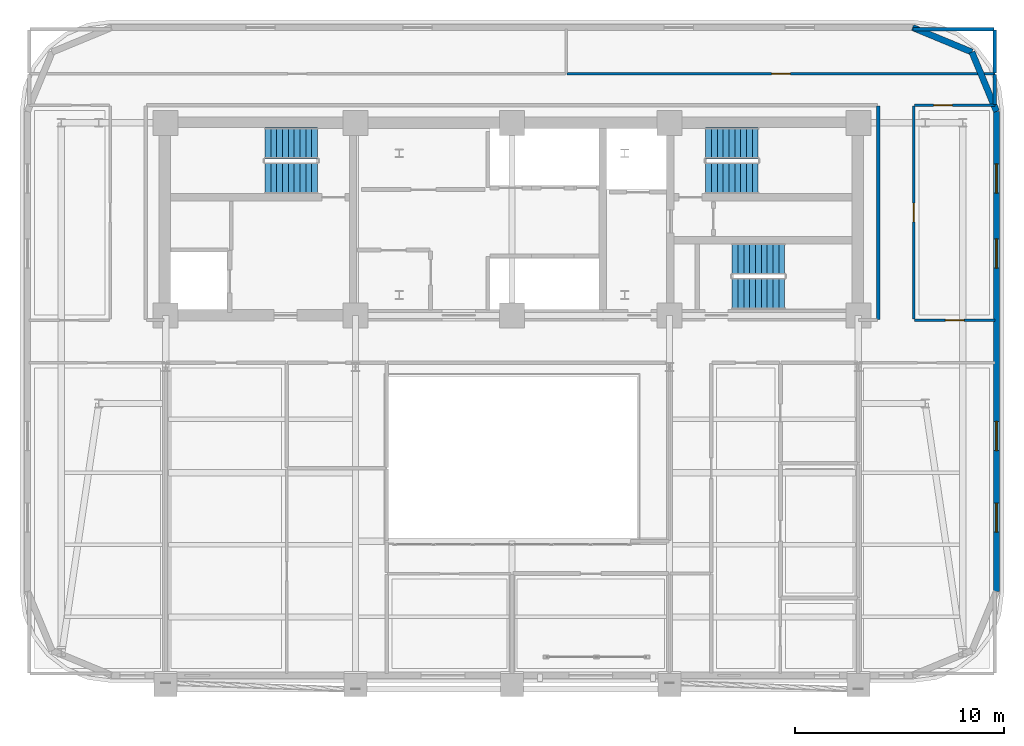
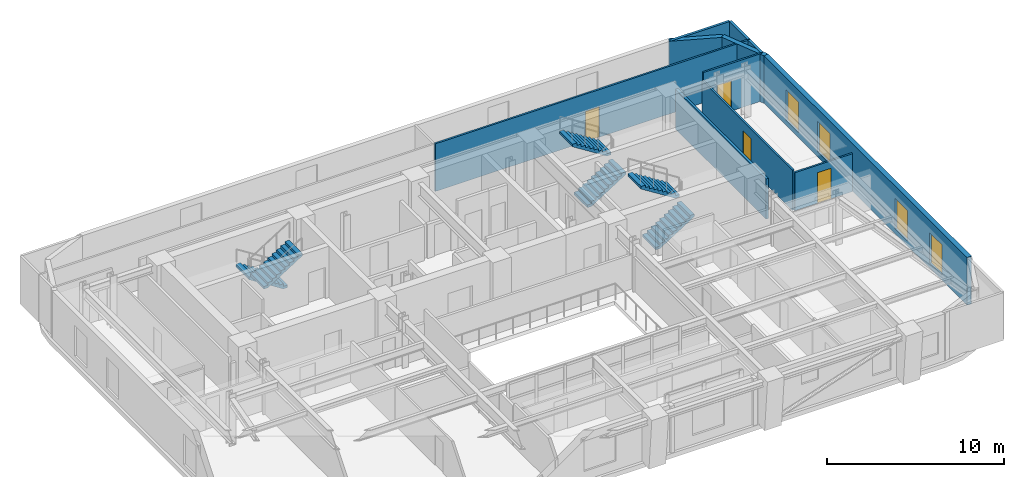
# One storey, part 9 of 13: 11 walls, 6 stair flights, 4 doors, 4 windows, 8 openings, 3 elements without a shape of their own.
"""IFC4 building model written with IfcOpenShell, lengths in metres."""

from ifc_helpers import new_model, si_unit, direction, frame, frame_2d, origin, place, context, subcontext, project, spatial, polyline, rectangle, outline, extrude, material, layer, layer_set, type_object, element, fill, aggregate, save


model = new_model("IFC4")

# Units and contexts
model_context = context("Model", 3, precision=1e-05, world=origin(), true_north=direction((0.0, 1.0)))
body_context = subcontext(model_context, "Body", "Model", "MODEL_VIEW")
ifc_project = project(units=[si_unit("LENGTHUNIT", "METRE"), si_unit("AREAUNIT", "SQUARE_METRE"), si_unit("VOLUMEUNIT", "CUBIC_METRE"), si_unit("PLANEANGLEUNIT", "RADIAN"), si_unit("MASSUNIT", "GRAM", prefix="KILO")], contexts=[model_context])

# Site, building, storey
site_placement = place(None, origin())
site = spatial("IfcSite", under=ifc_project, at=site_placement, CompositionType="ELEMENT")
building_placement = place(site_placement, origin())
building = spatial("IfcBuilding", under=site, at=building_placement, Name="Zarnavel Station Tower", CompositionType="ELEMENT")
storey_placement = place(building_placement, frame((0.0, 0.0, 176.75)))
storey = spatial("IfcBuildingStorey", under=building, at=storey_placement, Name="L48", CompositionType="ELEMENT", Elevation=176.75)

# Wall, openings, windows
ifc_material_1 = material(Name="Precast concrete C45/55 (Dark Basalt Finish)", Category="masonry")
ifc_layer_1 = layer(ifc_material_1, 0.300048828125)
ifc_layer_set_1 = layer_set([ifc_layer_1], Name="EW_BASALT_300")
wall_type_1 = type_object("IfcWallType", Name="EW_BASALT_300", PredefinedType="SOLIDWALL", material=ifc_layer_set_1)
wall_1_placement = place(storey_placement, frame((52.02001953125, 37.60009765625, 0.0), z_axis=(0.0, 0.0, 1.0), x_axis=(0.0, -1.0, 0.0)))
wall_1 = element("IfcWall", 1, at=wall_1_placement, inside=storey, type_object=wall_type_1, Name="L48 Exterior Basalt Masonry Frame Wall 03", PredefinedType="SOLIDWALL", context=body_context, shape_type="SweptSolid", body=[
    extrude(rectangle(XDim=23.0, YDim=0.300048828125, at=frame_2d((11.5, 0.0))), origin(), (0.0, 0.0, 1.0), 3.2900390625),
])
opening_1_placement = place(wall_1_placement, frame((2.51318359375, 0.0, 0.340087890625)))
opening_1 = element("IfcOpeningElement", 2, at=opening_1_placement, cuts=wall_1, Name="Opening WN04", PredefinedType="OPENING", context=body_context, shape_type="SweptSolid", body=[
    extrude(rectangle(XDim=1.39990234375, YDim=2.10009765625, at=frame_2d((0.699951171875, 1.050048828125))), frame((0.0, 0.159912109375, 0.0), z_axis=(0.0, -1.0, 0.0), x_axis=(1.0, 0.0, 0.0)), (0.0, 0.0, 1.0), 0.320068359375),
])
opening_2_placement = place(wall_1_placement, frame((6.106689453125, 0.0, 0.340087890625)))
opening_2 = element("IfcOpeningElement", 3, at=opening_2_placement, cuts=wall_1, Name="Opening WN04", PredefinedType="OPENING", context=body_context, shape_type="SweptSolid", body=[
    extrude(rectangle(XDim=1.39990234375, YDim=2.10009765625, at=frame_2d((0.699951171875, 1.050048828125))), frame((0.0, 0.159912109375, 0.0), z_axis=(0.0, -1.0, 0.0), x_axis=(1.0, 0.0, 0.0)), (0.0, 0.0, 1.0), 0.320068359375),
])
opening_3_placement = place(wall_1_placement, frame((14.860107421875, 0.0, 0.340087890625)))
opening_3 = element("IfcOpeningElement", 4, at=opening_3_placement, cuts=wall_1, Name="Opening WN04", PredefinedType="OPENING", context=body_context, shape_type="SweptSolid", body=[
    extrude(rectangle(XDim=1.39990234375, YDim=2.10009765625, at=frame_2d((0.699951171875, 1.050048828125))), frame((0.0, 0.159912109375, 0.0), z_axis=(0.0, -1.0, 0.0), x_axis=(1.0, 0.0, 0.0)), (0.0, 0.0, 1.0), 0.320068359375),
])
opening_4_placement = place(wall_1_placement, frame((18.77001953125, 0.0, 0.340087890625)))
opening_4 = element("IfcOpeningElement", 5, at=opening_4_placement, cuts=wall_1, Name="Opening WN04", PredefinedType="OPENING", context=body_context, shape_type="SweptSolid", body=[
    extrude(rectangle(XDim=1.39990234375, YDim=2.10009765625, at=frame_2d((0.699951171875, 1.050048828125))), frame((0.0, 0.159912109375, 0.0), z_axis=(0.0, -1.0, 0.0), x_axis=(1.0, 0.0, 0.0)), (0.0, 0.0, 1.0), 0.320068359375),
])
ifc_material_2 = material(Name="Thermally Broken Black Aluminium and Low-E Dark Glass", Category="aluminium")
window_type = type_object("IfcWindowType", Name="WN_1400x2100", PartitioningType="DOUBLE_PANEL_VERTICAL", PredefinedType="WINDOW", material=ifc_material_2)
window_1_placement = place(opening_1_placement, origin())
window_1 = element("IfcWindow", 6, at=window_1_placement, inside=storey, type_object=window_type, Name="L48 Recessed Facade Window 01", OverallHeight=2.10009765625, OverallWidth=1.39990234375, PartitioningType="SINGLE_PANEL", PredefinedType="WINDOW", context=body_context, shape_type="SweptSolid", body=[
    extrude(rectangle(XDim=1.39990234375, YDim=2.10009765625, at=frame_2d((0.699951171875, 1.050048828125))), frame((0.0, 0.030029296875, 0.0), z_axis=(0.0, -1.0, 0.0), x_axis=(1.0, 0.0, 0.0)), (0.0, 0.0, 1.0), 0.06005859375),
])
fill(opening_1, window_1)
window_2_placement = place(opening_2_placement, origin())
window_2 = element("IfcWindow", 7, at=window_2_placement, inside=storey, type_object=window_type, Name="L48 Recessed Facade Window 02", OverallHeight=2.10009765625, OverallWidth=1.39990234375, PartitioningType="SINGLE_PANEL", PredefinedType="WINDOW", context=body_context, shape_type="SweptSolid", body=[
    extrude(rectangle(XDim=1.39990234375, YDim=2.10009765625, at=frame_2d((0.699951171875, 1.050048828125))), frame((0.0, 0.030029296875, 0.0), z_axis=(0.0, -1.0, 0.0), x_axis=(1.0, 0.0, 0.0)), (0.0, 0.0, 1.0), 0.06005859375),
])
fill(opening_2, window_2)
window_3_placement = place(opening_3_placement, origin())
window_3 = element("IfcWindow", 8, at=window_3_placement, inside=storey, type_object=window_type, Name="L48 Recessed Facade Window 03", OverallHeight=2.10009765625, OverallWidth=1.39990234375, PartitioningType="SINGLE_PANEL", PredefinedType="WINDOW", context=body_context, shape_type="SweptSolid", body=[
    extrude(rectangle(XDim=1.39990234375, YDim=2.10009765625, at=frame_2d((0.699951171875, 1.050048828125))), frame((0.0, 0.030029296875, 0.0), z_axis=(0.0, -1.0, 0.0), x_axis=(1.0, 0.0, 0.0)), (0.0, 0.0, 1.0), 0.06005859375),
])
fill(opening_3, window_3)
window_4_placement = place(opening_4_placement, origin())
window_4 = element("IfcWindow", 9, at=window_4_placement, inside=storey, type_object=window_type, Name="L48 Recessed Facade Window 04", OverallHeight=2.10009765625, OverallWidth=1.39990234375, PartitioningType="SINGLE_PANEL", PredefinedType="WINDOW", context=body_context, shape_type="SweptSolid", body=[
    extrude(rectangle(XDim=1.39990234375, YDim=2.10009765625, at=frame_2d((0.699951171875, 1.050048828125))), frame((0.0, 0.030029296875, 0.0), z_axis=(0.0, -1.0, 0.0), x_axis=(1.0, 0.0, 0.0)), (0.0, 0.0, 1.0), 0.06005859375),
])
fill(opening_4, window_4)

# Walls
for number, where, z_axis, x_axis, name in (
    (10, (50.842529296875, 40.442626953125, 0.0), (0.0, 0.0, 1.0), (0.382704529509, -0.923870793506, 0.0), "L48 Exterior Basalt Masonry Frame Wall 04"),
    (11, (48.0, 41.6201171875, 0.0), (0.0, 0.0, 1.0), (0.923870793506, -0.382704529509, 0.0), "L48 Exterior Basalt Masonry Frame Wall 05"),
):
    element("IfcWall", number, at=place(storey_placement, frame(where, z_axis=z_axis, x_axis=x_axis)), inside=storey, type_object=wall_type_1, Name=name, PredefinedType="SOLIDWALL", context=body_context, shape_type="SweptSolid", body=[
        extrude(rectangle(XDim=3.07666015625, YDim=0.300048828125, at=frame_2d((1.538330078125, 0.0))), origin(), (0.0, 0.0, 1.0), 3.2900390625),
    ])
ifc_material_3 = material(Name="Gypsum Twin-Stud Acoustic Fire Partition", Category="concrete")
ifc_layer_2 = layer(ifc_material_3, 0.159912109375)
ifc_layer_set_2 = layer_set([ifc_layer_2], Name="PT_DEMISE_160")
wall_type_2 = type_object("IfcWallType", Name="PT_DEMISE_160", PredefinedType="PARTITIONING", material=ifc_layer_set_2)
wall_2_placement = place(storey_placement, frame((46.35009765625, 27.6298828125, 0.0), z_axis=(0.0, 0.0, 1.0), x_axis=(0.0, 1.0, 0.0)))
element("IfcWall", 12, at=wall_2_placement, inside=storey, type_object=wall_type_2, Name="L48 Enclosure Wall COR-E", PredefinedType="PARTITIONING", context=body_context, shape_type="SweptSolid", body=[
    extrude(rectangle(XDim=10.240234375, YDim=0.159912109375, at=frame_2d((5.1201171875, 0.0))), origin(), (0.0, 0.0, 1.0), 2.77001953125),
])
wall_3_placement = place(storey_placement, frame((51.93994140625, 37.929931640625, 0.0), z_axis=(0.0, 0.0, 1.0), x_axis=(0.0, 1.0, 0.0)))
element("IfcWall", 13, at=wall_3_placement, inside=storey, type_object=wall_type_2, Name="L48 Enclosure Wall COR-N", PredefinedType="PARTITIONING", context=body_context, shape_type="SweptSolid", body=[
    extrude(rectangle(XDim=1.440185546875, YDim=0.159912109375, at=frame_2d((0.72021484375, 0.0))), origin(), (0.0, 0.0, 1.0), 3.2900390625),
])
wall_4_placement = place(storey_placement, frame((48.030029296875, 41.5400390625, 0.0), z_axis=(0.0, 0.0, 1.0), x_axis=(1.0, 0.0, 0.0)))
element("IfcWall", 14, at=wall_4_placement, inside=storey, type_object=wall_type_2, Name="L48 Enclosure Wall NBRD", PredefinedType="PARTITIONING", context=body_context, shape_type="SweptSolid", body=[
    extrude(rectangle(XDim=3.8798828125, YDim=0.159912109375, at=frame_2d((1.93994140625, 0.0))), origin(), (0.0, 0.0, 1.0), 3.2900390625),
])
wall_5_placement = place(storey_placement, frame((51.93994140625, 39.429931640625, 0.0), z_axis=(0.0, 0.0, 1.0), x_axis=(0.0, 1.0, 0.0)))
element("IfcWall", 15, at=wall_5_placement, inside=storey, type_object=wall_type_2, Name="L48 Enclosure Wall NBRD", PredefinedType="PARTITIONING", context=body_context, shape_type="SweptSolid", body=[
    extrude(rectangle(XDim=2.080078125, YDim=0.159912109375, at=frame_2d((1.0400390625, 0.0))), origin(), (0.0, 0.0, 1.0), 3.2900390625),
])

# Wall, opening, door
ifc_material_4 = material(Name="Gypsum Metal-Stud Interior Partition", Category="concrete")
ifc_layer_3 = layer(ifc_material_4, 0.1201171875)
ifc_layer_set_3 = layer_set([ifc_layer_3], Name="PT_ROOM_120")
wall_type_3 = type_object("IfcWallType", Name="PT_ROOM_120", PredefinedType="PARTITIONING", material=ifc_layer_set_3)
wall_6_placement = place(storey_placement, frame((48.090087890625, 27.60009765625, 0.0), z_axis=(0.0, 0.0, 1.0), x_axis=(1.0, 0.0, 0.0)))
wall_6 = element("IfcWall", 16, at=wall_6_placement, inside=storey, type_object=wall_type_3, Name="L48 Partition COR-S-FNE", PredefinedType="PARTITIONING", context=body_context, shape_type="SweptSolid", body=[
    extrude(rectangle(XDim=3.849853515625, YDim=0.1201171875, at=frame_2d((1.9248046875, 0.0))), origin(), (0.0, 0.0, 1.0), 2.6201171875),
])
opening_5_placement = place(wall_6_placement, frame((1.47509765625, 0.0, 0.0)))
opening_5 = element("IfcOpeningElement", 17, at=opening_5_placement, cuts=wall_6, Name="Opening ID01", PredefinedType="OPENING", context=body_context, shape_type="SweptSolid", body=[
    extrude(rectangle(XDim=0.89990234375, YDim=2.10009765625, at=frame_2d((0.449951171875, 1.050048828125))), frame((0.0, 0.070068359375, 0.0), z_axis=(0.0, -1.0, 0.0), x_axis=(1.0, 0.0, 0.0)), (0.0, 0.0, 1.0), 0.14013671875),
])
ifc_material_5 = material(Name="Painted Galvanised Steel and Hardwood Leaf", Category="steel")
door_type = type_object("IfcDoorType", Name="ID_ROOM_900", OperationType="NOTDEFINED", PredefinedType="DOOR", material=ifc_material_5)
door_1_placement = place(opening_5_placement, origin())
door_1 = element("IfcDoor", 18, at=door_1_placement, inside=storey, type_object=door_type, Name="L48 Door COR-S-FNE", OperationType="SINGLE_SWING_LEFT", OverallHeight=2.10009765625, OverallWidth=0.89990234375, PredefinedType="DOOR", context=body_context, shape_type="SweptSolid", body=[
    extrude(rectangle(XDim=0.89990234375, YDim=2.10009765625, at=frame_2d((0.449951171875, 1.050048828125))), frame((0.0, 0.02490234375, 0.0), z_axis=(0.0, -1.0, 0.0), x_axis=(1.0, 0.0, 0.0)), (0.0, 0.0, 1.0), 0.050048828125),
])
fill(opening_5, door_1)

wall_7_placement = place(storey_placement, frame((48.050048828125, 27.639892578125, 0.0), z_axis=(0.0, 0.0, 1.0), x_axis=(0.0, 1.0, 0.0)))
wall_7 = element("IfcWall", 19, at=wall_7_placement, inside=storey, type_object=wall_type_3, Name="L48 Partition COR-E-FNE", PredefinedType="PARTITIONING", context=body_context, shape_type="SweptSolid", body=[
    extrude(rectangle(XDim=10.22021484375, YDim=0.1201171875, at=frame_2d((5.110107421875, 0.0))), origin(), (0.0, 0.0, 1.0), 2.77001953125),
])
opening_6_placement = place(wall_7_placement, frame((4.659912109375, 0.0, 0.0)))
opening_6 = element("IfcOpeningElement", 20, at=opening_6_placement, cuts=wall_7, Name="Opening ID01", PredefinedType="OPENING", context=body_context, shape_type="SweptSolid", body=[
    extrude(rectangle(XDim=0.89990234375, YDim=2.10009765625, at=frame_2d((0.449951171875, 1.050048828125))), frame((0.0, 0.070068359375, 0.0), z_axis=(0.0, -1.0, 0.0), x_axis=(1.0, 0.0, 0.0)), (0.0, 0.0, 1.0), 0.14013671875),
])
door_2_placement = place(opening_6_placement, origin())
door_2 = element("IfcDoor", 21, at=door_2_placement, inside=storey, type_object=door_type, Name="L48 Door COR-E-FNE", OperationType="SINGLE_SWING_RIGHT", OverallHeight=2.10009765625, OverallWidth=0.89990234375, PredefinedType="DOOR", context=body_context, shape_type="SweptSolid", body=[
    extrude(rectangle(XDim=0.89990234375, YDim=2.10009765625, at=frame_2d((0.449951171875, 1.050048828125))), frame((0.0, 0.02490234375, 0.0), z_axis=(0.0, -1.0, 0.0), x_axis=(1.0, 0.0, 0.0)), (0.0, 0.0, 1.0), 0.050048828125),
])
fill(opening_6, door_2)

wall_8_placement = place(storey_placement, frame((48.090087890625, 37.89990234375, 0.0), z_axis=(0.0, 0.0, 1.0), x_axis=(1.0, 0.0, 0.0)))
wall_8 = element("IfcWall", 22, at=wall_8_placement, inside=storey, type_object=wall_type_3, Name="L48 Partition COR-N-FNE", PredefinedType="PARTITIONING", context=body_context, shape_type="SweptSolid", body=[
    extrude(rectangle(XDim=3.849853515625, YDim=0.1201171875, at=frame_2d((1.9248046875, 0.0))), origin(), (0.0, 0.0, 1.0), 3.2900390625),
])
opening_7_placement = place(wall_8_placement, frame((0.918701171875, 0.0, 0.0)))
opening_7 = element("IfcOpeningElement", 23, at=opening_7_placement, cuts=wall_8, Name="Opening ID01", PredefinedType="OPENING", context=body_context, shape_type="SweptSolid", body=[
    extrude(rectangle(XDim=0.89990234375, YDim=2.10009765625, at=frame_2d((0.449951171875, 1.050048828125))), frame((0.0, 0.070068359375, 0.0), z_axis=(0.0, -1.0, 0.0), x_axis=(1.0, 0.0, 0.0)), (0.0, 0.0, 1.0), 0.14013671875),
])
door_3_placement = place(opening_7_placement, origin())
door_3 = element("IfcDoor", 24, at=door_3_placement, inside=storey, type_object=door_type, Name="L48 Door COR-N-FNE", OperationType="SINGLE_SWING_RIGHT", OverallHeight=2.10009765625, OverallWidth=0.89990234375, PredefinedType="DOOR", context=body_context, shape_type="SweptSolid", body=[
    extrude(rectangle(XDim=0.89990234375, YDim=2.10009765625, at=frame_2d((0.449951171875, 1.050048828125))), frame((0.0, 0.02490234375, 0.0), z_axis=(0.0, -1.0, 0.0), x_axis=(1.0, 0.0, 0.0)), (0.0, 0.0, 1.0), 0.050048828125),
])
fill(opening_7, door_3)

wall_9_placement = place(storey_placement, frame((31.43994140625, 39.39990234375, 0.0), z_axis=(0.0, 0.0, 1.0), x_axis=(1.0, 0.0, 0.0)))
wall_9 = element("IfcWall", 25, at=wall_9_placement, inside=storey, type_object=wall_type_3, Name="L48 Partition COR-N-NBRD", PredefinedType="PARTITIONING", context=body_context, shape_type="SweptSolid", body=[
    extrude(rectangle(XDim=20.5, YDim=0.1201171875, at=frame_2d((10.25, 0.0))), origin(), (0.0, 0.0, 1.0), 3.2900390625),
])
opening_8_placement = place(wall_9_placement, frame((9.800048828125, 0.0, 0.0)))
opening_8 = element("IfcOpeningElement", 26, at=opening_8_placement, cuts=wall_9, Name="Opening ID01", PredefinedType="OPENING", context=body_context, shape_type="SweptSolid", body=[
    extrude(rectangle(XDim=0.89990234375, YDim=2.10009765625, at=frame_2d((0.449951171875, 1.050048828125))), frame((0.0, 0.070068359375, 0.0), z_axis=(0.0, -1.0, 0.0), x_axis=(1.0, 0.0, 0.0)), (0.0, 0.0, 1.0), 0.14013671875),
])
door_4_placement = place(opening_8_placement, origin())
door_4 = element("IfcDoor", 27, at=door_4_placement, inside=storey, type_object=door_type, Name="L48 Door COR-N-NBRD", OperationType="SINGLE_SWING_RIGHT", OverallHeight=2.10009765625, OverallWidth=0.89990234375, PredefinedType="DOOR", context=body_context, shape_type="SweptSolid", body=[
    extrude(rectangle(XDim=0.89990234375, YDim=2.10009765625, at=frame_2d((0.449951171875, 1.050048828125))), frame((0.0, 0.02490234375, 0.0), z_axis=(0.0, -1.0, 0.0), x_axis=(1.0, 0.0, 0.0)), (0.0, 0.0, 1.0), 0.050048828125),
])
fill(opening_8, door_4)

# Stair, stair flights
ifc_material_6 = material(Name="Concrete C45/55", Category="concrete")
stair_type = type_object("IfcStairType", Name="ST_CORE_150", PredefinedType="HALF_TURN_STAIR", material=ifc_material_6)
stair_1_placement = place(storey_placement, origin())
stair_1 = element("IfcStair", 28, at=stair_1_placement, inside=storey, type_object=stair_type, Name="L48 Core Exit Stair ST1", PredefinedType="HALF_TURN_STAIR")
ifc_material_7 = material(Name="Concrete C45/55", Category="concrete")
ifc_layer_4 = layer(ifc_material_7, 0.179931640625)
ifc_layer_set_4 = layer_set([ifc_layer_4], Name="ST_CORE_150_FLT")
stair_flight_type = type_object("IfcStairFlightType", Name="ST_CORE_150_FLT", PredefinedType="STRAIGHT", material=ifc_layer_set_4)
stair_flight_1_placement = place(storey_placement, frame((19.47998046875, 36.070068359375, 0.0), z_axis=(0.0, 0.0, 1.0), x_axis=(-1.0, 0.0, 0.0)))
stair_flight_1 = element("IfcStairFlight", 29, at=stair_flight_1_placement, type_object=stair_flight_type, Name="ST1 flight 1", NumberOfRisers=10, NumberOfTreads=9, PredefinedType="STRAIGHT", RiserHeight=0.1775, TreadLength=0.28, context=body_context, shape_type="SweptSolid", body=[
    extrude(outline(polyline([(0.0, 0.0), (0.0, 0.177490234375), (0.280029296875, 0.177490234375), (0.280029296875, 0.35498046875), (0.56005859375, 0.35498046875), (0.56005859375, 0.532470703125), (0.840087890625, 0.532470703125), (0.840087890625, 0.7099609375), (1.1201171875, 0.7099609375), (1.1201171875, 0.887451171875), (1.39990234375, 0.887451171875), (1.39990234375, 1.06494140625), (1.679931640625, 1.06494140625), (1.679931640625, 1.242431640625), (1.9599609375, 1.242431640625), (1.9599609375, 1.419921875), (2.239990234375, 1.419921875), (2.239990234375, 1.597412109375), (2.52001953125, 1.597412109375), (2.52001953125, 1.77490234375), (2.52001953125, 1.419921875), (0.280029296875, 0.0), (0.0, 0.0)])), frame((0.0, 0.75, 0.0), z_axis=(0.0, -1.0, 0.0), x_axis=(1.0, 0.0, 0.0)), (0.0, 0.0, 1.0), 1.5),
])
stair_flight_2_placement = place(storey_placement, frame((16.9599609375, 34.409912109375, 1.77490234375), z_axis=(0.0, 0.0, 1.0), x_axis=(1.0, 0.0, 0.0)))
stair_flight_2 = element("IfcStairFlight", 30, at=stair_flight_2_placement, type_object=stair_flight_type, Name="ST1 flight 2", NumberOfRisers=10, NumberOfTreads=9, PredefinedType="STRAIGHT", RiserHeight=0.1775, TreadLength=0.28, context=body_context, shape_type="SweptSolid", body=[
    extrude(outline(polyline([(0.0, 0.0), (0.0, 0.177490234375), (0.280029296875, 0.177490234375), (0.280029296875, 0.35498046875), (0.56005859375, 0.35498046875), (0.56005859375, 0.532470703125), (0.840087890625, 0.532470703125), (0.840087890625, 0.7099609375), (1.1201171875, 0.7099609375), (1.1201171875, 0.887451171875), (1.39990234375, 0.887451171875), (1.39990234375, 1.06494140625), (1.679931640625, 1.06494140625), (1.679931640625, 1.242431640625), (1.9599609375, 1.242431640625), (1.9599609375, 1.419921875), (2.239990234375, 1.419921875), (2.239990234375, 1.597412109375), (2.52001953125, 1.597412109375), (2.52001953125, 1.77490234375), (2.52001953125, 1.419921875), (0.280029296875, 0.0), (0.0, 0.0)])), frame((0.0, 0.75, 0.0), z_axis=(0.0, -1.0, 0.0), x_axis=(1.0, 0.0, 0.0)), (0.0, 0.0, 1.0), 1.5),
])
aggregate(stair_1, [stair_flight_1, stair_flight_2])

stair_2_placement = place(storey_placement, origin())
stair_2 = element("IfcStair", 31, at=stair_2_placement, inside=storey, type_object=stair_type, Name="L48 Core Exit Stair ST2", PredefinedType="HALF_TURN_STAIR")
stair_flight_3_placement = place(storey_placement, frame((38.080078125, 34.409912109375, 0.0), z_axis=(0.0, 0.0, 1.0), x_axis=(1.0, 0.0, 0.0)))
stair_flight_3 = element("IfcStairFlight", 32, at=stair_flight_3_placement, type_object=stair_flight_type, Name="ST2 flight 1", NumberOfRisers=10, NumberOfTreads=9, PredefinedType="STRAIGHT", RiserHeight=0.1775, TreadLength=0.28, context=body_context, shape_type="SweptSolid", body=[
    extrude(outline(polyline([(0.0, 0.0), (0.0, 0.177490234375), (0.280029296875, 0.177490234375), (0.280029296875, 0.35498046875), (0.56005859375, 0.35498046875), (0.56005859375, 0.532470703125), (0.840087890625, 0.532470703125), (0.840087890625, 0.7099609375), (1.1201171875, 0.7099609375), (1.1201171875, 0.887451171875), (1.39990234375, 0.887451171875), (1.39990234375, 1.06494140625), (1.679931640625, 1.06494140625), (1.679931640625, 1.242431640625), (1.9599609375, 1.242431640625), (1.9599609375, 1.419921875), (2.239990234375, 1.419921875), (2.239990234375, 1.597412109375), (2.52001953125, 1.597412109375), (2.52001953125, 1.77490234375), (2.52001953125, 1.419921875), (0.280029296875, 0.0), (0.0, 0.0)])), frame((0.0, 0.75, 0.0), z_axis=(0.0, -1.0, 0.0), x_axis=(1.0, 0.0, 0.0)), (0.0, 0.0, 1.0), 1.5),
])
stair_flight_4_placement = place(storey_placement, frame((40.60009765625, 36.070068359375, 1.77490234375), z_axis=(0.0, 0.0, 1.0), x_axis=(-1.0, 0.0, 0.0)))
stair_flight_4 = element("IfcStairFlight", 33, at=stair_flight_4_placement, type_object=stair_flight_type, Name="ST2 flight 2", NumberOfRisers=10, NumberOfTreads=9, PredefinedType="STRAIGHT", RiserHeight=0.1775, TreadLength=0.28, context=body_context, shape_type="SweptSolid", body=[
    extrude(outline(polyline([(0.0, 0.0), (0.0, 0.177490234375), (0.280029296875, 0.177490234375), (0.280029296875, 0.35498046875), (0.56005859375, 0.35498046875), (0.56005859375, 0.532470703125), (0.840087890625, 0.532470703125), (0.840087890625, 0.7099609375), (1.1201171875, 0.7099609375), (1.1201171875, 0.887451171875), (1.39990234375, 0.887451171875), (1.39990234375, 1.06494140625), (1.679931640625, 1.06494140625), (1.679931640625, 1.242431640625), (1.9599609375, 1.242431640625), (1.9599609375, 1.419921875), (2.239990234375, 1.419921875), (2.239990234375, 1.597412109375), (2.52001953125, 1.597412109375), (2.52001953125, 1.77490234375), (2.52001953125, 1.419921875), (0.280029296875, 0.0), (0.0, 0.0)])), frame((0.0, 0.75, 0.0), z_axis=(0.0, -1.0, 0.0), x_axis=(1.0, 0.0, 0.0)), (0.0, 0.0, 1.0), 1.5),
])
aggregate(stair_2, [stair_flight_3, stair_flight_4])

stair_3_placement = place(storey_placement, origin())
stair_3 = element("IfcStair", 34, at=stair_3_placement, inside=storey, type_object=stair_type, Name="L48 Core Exit Stair ST3", PredefinedType="HALF_TURN_STAIR")
stair_flight_5_placement = place(storey_placement, frame((39.35009765625, 28.8701171875, 0.0), z_axis=(0.0, 0.0, 1.0), x_axis=(1.0, 0.0, 0.0)))
stair_flight_5 = element("IfcStairFlight", 35, at=stair_flight_5_placement, type_object=stair_flight_type, Name="ST3 flight 1", NumberOfRisers=10, NumberOfTreads=9, PredefinedType="STRAIGHT", RiserHeight=0.1775, TreadLength=0.28, context=body_context, shape_type="SweptSolid", body=[
    extrude(outline(polyline([(0.0, 0.0), (0.0, 0.177490234375), (0.280029296875, 0.177490234375), (0.280029296875, 0.35498046875), (0.56005859375, 0.35498046875), (0.56005859375, 0.532470703125), (0.840087890625, 0.532470703125), (0.840087890625, 0.7099609375), (1.1201171875, 0.7099609375), (1.1201171875, 0.887451171875), (1.39990234375, 0.887451171875), (1.39990234375, 1.06494140625), (1.679931640625, 1.06494140625), (1.679931640625, 1.242431640625), (1.9599609375, 1.242431640625), (1.9599609375, 1.419921875), (2.239990234375, 1.419921875), (2.239990234375, 1.597412109375), (2.52001953125, 1.597412109375), (2.52001953125, 1.77490234375), (2.52001953125, 1.419921875), (0.280029296875, 0.0), (0.0, 0.0)])), frame((0.0, 0.75, 0.0), z_axis=(0.0, -1.0, 0.0), x_axis=(1.0, 0.0, 0.0)), (0.0, 0.0, 1.0), 1.5),
])
stair_flight_6_placement = place(storey_placement, frame((41.8701171875, 30.530029296875, 1.77490234375), z_axis=(0.0, 0.0, 1.0), x_axis=(-1.0, 0.0, 0.0)))
stair_flight_6 = element("IfcStairFlight", 36, at=stair_flight_6_placement, type_object=stair_flight_type, Name="ST3 flight 2", NumberOfRisers=10, NumberOfTreads=9, PredefinedType="STRAIGHT", RiserHeight=0.1775, TreadLength=0.28, context=body_context, shape_type="SweptSolid", body=[
    extrude(outline(polyline([(0.0, 0.0), (0.0, 0.177490234375), (0.280029296875, 0.177490234375), (0.280029296875, 0.35498046875), (0.56005859375, 0.35498046875), (0.56005859375, 0.532470703125), (0.840087890625, 0.532470703125), (0.840087890625, 0.7099609375), (1.1201171875, 0.7099609375), (1.1201171875, 0.887451171875), (1.39990234375, 0.887451171875), (1.39990234375, 1.06494140625), (1.679931640625, 1.06494140625), (1.679931640625, 1.242431640625), (1.9599609375, 1.242431640625), (1.9599609375, 1.419921875), (2.239990234375, 1.419921875), (2.239990234375, 1.597412109375), (2.52001953125, 1.597412109375), (2.52001953125, 1.77490234375), (2.52001953125, 1.419921875), (0.280029296875, 0.0), (0.0, 0.0)])), frame((0.0, 0.75, 0.0), z_axis=(0.0, -1.0, 0.0), x_axis=(1.0, 0.0, 0.0)), (0.0, 0.0, 1.0), 1.5),
])
aggregate(stair_3, [stair_flight_5, stair_flight_6])

save(model, "model.ifc")
